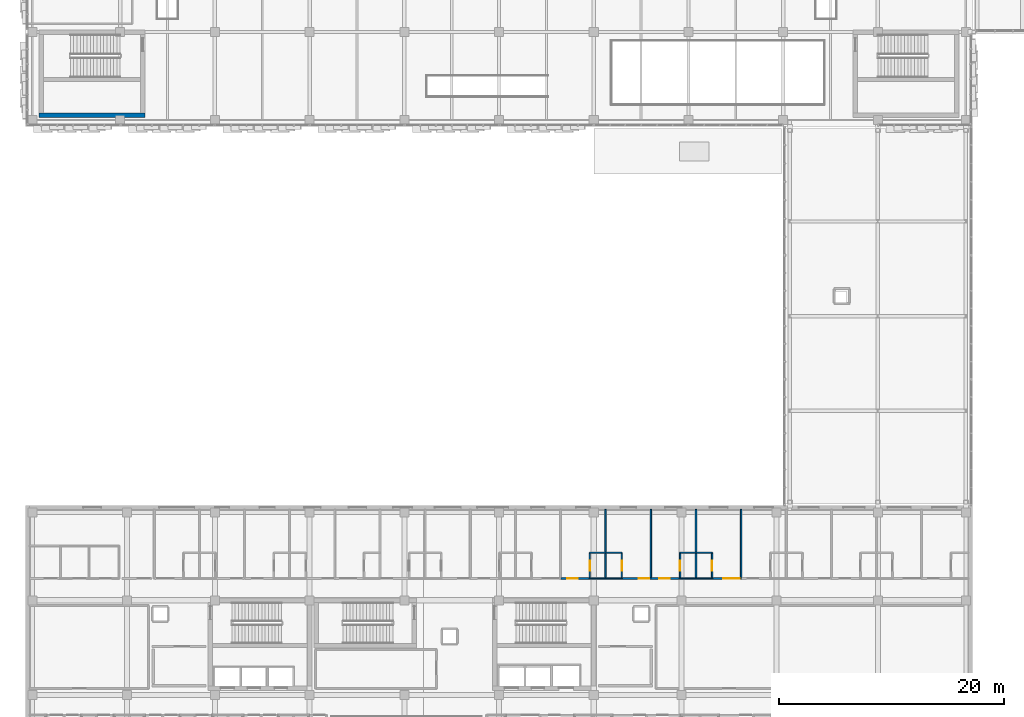
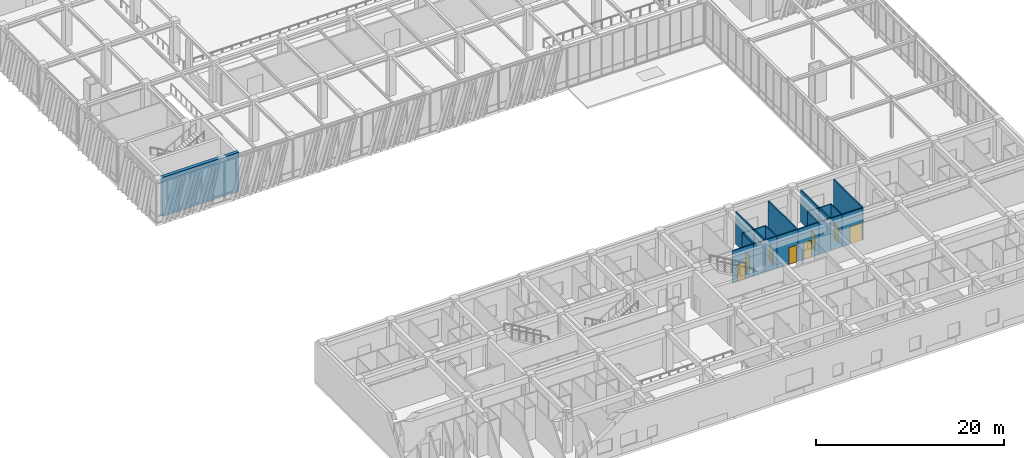
# One storey, part 108 of 139: 21 walls, 8 doors, 8 openings.
"""IFC4 building model written with IfcOpenShell, lengths in metres."""

from ifc_helpers import new_model, si_unit, direction, frame, frame_2d, origin, place, context, subcontext, project, spatial, rectangle, extrude, material, layer, layer_set, type_object, element, fill, save


model = new_model("IFC4")

# Units and contexts
model_context = context("Model", 3, precision=1e-05, world=origin(), true_north=direction((0.0, 1.0)))
body_context = subcontext(model_context, "Body", "Model", "MODEL_VIEW")
ifc_project = project(units=[si_unit("LENGTHUNIT", "METRE"), si_unit("AREAUNIT", "SQUARE_METRE"), si_unit("VOLUMEUNIT", "CUBIC_METRE"), si_unit("PLANEANGLEUNIT", "RADIAN"), si_unit("MASSUNIT", "GRAM", prefix="KILO")], contexts=[model_context])

# Site, building, storey
site_placement = place(None, origin())
site = spatial("IfcSite", under=ifc_project, at=site_placement, CompositionType="ELEMENT")
building_placement = place(site_placement, origin())
building = spatial("IfcBuilding", under=site, at=building_placement, Name="Zayran Congress Hotel", CompositionType="ELEMENT")
storey_placement = place(building_placement, frame((0.0, 0.0, 5.39990234375)))
storey = spatial("IfcBuildingStorey", under=building, at=storey_placement, Name="L01", CompositionType="ELEMENT", Elevation=5.39990234375)

# Wall
ifc_material_1 = material(Name="Concrete C40/50", Category="concrete")
ifc_layer_1 = layer(ifc_material_1, 0.39990234375)
ifc_layer_set_1 = layer_set([ifc_layer_1], Name="Concrete C40/50")
wall_type_1 = type_object("IfcWallType", Name="WL-SH-400", PredefinedType="SHEAR", material=ifc_layer_set_1)
wall_1_placement = place(storey_placement, frame((9.60009765625, 68.60009765625, 0.0), z_axis=(0.0, 0.0, 1.0), x_axis=(1.0, 0.0, 0.0)))
element("IfcWall", 1, at=wall_1_placement, inside=storey, type_object=wall_type_1, Name="CWALL-C-V1S-L01-S", PredefinedType="SHEAR", context=body_context, shape_type="SweptSolid", body=[
    extrude(rectangle(XDim=9.39990234375, YDim=0.39990234375, at=frame_2d((4.699951171875, 0.0))), origin(), (0.0, 0.0, 1.0), 5.080078125),
])

# Wall, opening, door
ifc_material_2 = material(Name="Hospitality guestroom acoustic partition", Category="gypsum")
ifc_layer_2 = layer(ifc_material_2, 0.139892578125)
ifc_layer_set_2 = layer_set([ifc_layer_2], Name="Hospitality guestroom acoustic partition")
wall_type_2 = type_object("IfcWallType", Name="WL-PT-140", PredefinedType="PARTITIONING", material=ifc_layer_set_2)
wall_2_placement = place(storey_placement, frame((55.875, 27.530029296875, 0.0), z_axis=(0.0, 0.0, 1.0), x_axis=(1.0, 0.0, 0.0)))
wall_2 = element("IfcWall", 2, at=wall_2_placement, inside=storey, type_object=wall_type_2, Name="IW-L01-0477", PredefinedType="PARTITIONING", context=body_context, shape_type="SweptSolid", body=[
    extrude(rectangle(XDim=2.574951171875, YDim=0.139892578125, at=frame_2d((1.28759765625, 0.0))), origin(), (0.0, 0.0, 1.0), 4.18017578125),
])
opening_1_placement = place(wall_2_placement, frame((0.575927734375, 0.0, 0.0)))
opening_1 = element("IfcOpeningElement", 3, at=opening_1_placement, cuts=wall_2, Name="Opening DR-GR-01", PredefinedType="OPENING", context=body_context, shape_type="SweptSolid", body=[
    extrude(rectangle(XDim=0.93994140625, YDim=2.199951171875, at=frame_2d((0.469970703125, 1.10009765625))), frame((0.0, 0.079833984375, 0.0), z_axis=(0.0, -1.0, 0.0), x_axis=(1.0, 0.0, 0.0)), (0.0, 0.0, 1.0), 0.159912109375),
])
ifc_material_3 = material(Name="Acoustic walnut veneer fire-rated entry door", Category="wood")
door_type_1 = type_object("IfcDoorType", Name="TP-DR-GR-01", OperationType="NOTDEFINED", PredefinedType="DOOR", material=ifc_material_3)
door_1_placement = place(opening_1_placement, origin())
door_1 = element("IfcDoor", 4, at=door_1_placement, inside=storey, type_object=door_type_1, Name="Guest Room L01-28 Door", OperationType="SINGLE_SWING_RIGHT", OverallHeight=2.199951171875, OverallWidth=0.93994140625, PredefinedType="DOOR", context=body_context, shape_type="SweptSolid", body=[
    extrude(rectangle(XDim=0.93994140625, YDim=2.199951171875, at=frame_2d((0.469970703125, 1.10009765625))), frame((0.0, 0.02490234375, 0.0), z_axis=(0.0, -1.0, 0.0), x_axis=(1.0, 0.0, 0.0)), (0.0, 0.0, 1.0), 0.050048828125),
])
fill(opening_1, door_1)

wall_3_placement = place(storey_placement, frame((61.2880859375, 27.530029296875, 0.0), z_axis=(0.0, 0.0, 1.0), x_axis=(1.0, 0.0, 0.0)))
wall_3 = element("IfcWall", 5, at=wall_3_placement, inside=storey, type_object=wall_type_2, Name="IW-L01-0478", PredefinedType="PARTITIONING", context=body_context, shape_type="SweptSolid", body=[
    extrude(rectangle(XDim=2.574951171875, YDim=0.139892578125, at=frame_2d((1.28759765625, 0.0))), origin(), (0.0, 0.0, 1.0), 4.18017578125),
])
opening_2_placement = place(wall_3_placement, frame((1.4951171875, 0.0, 0.0)))
opening_2 = element("IfcOpeningElement", 6, at=opening_2_placement, cuts=wall_3, Name="Opening DR-GR-01", PredefinedType="OPENING", context=body_context, shape_type="SweptSolid", body=[
    extrude(rectangle(XDim=0.93994140625, YDim=2.199951171875, at=frame_2d((0.469970703125, 1.10009765625))), frame((0.0, 0.079833984375, 0.0), z_axis=(0.0, -1.0, 0.0), x_axis=(1.0, 0.0, 0.0)), (0.0, 0.0, 1.0), 0.159912109375),
])
door_2_placement = place(opening_2_placement, origin())
door_2 = element("IfcDoor", 7, at=door_2_placement, inside=storey, type_object=door_type_1, Name="Guest Room L01-29 Door", OperationType="SINGLE_SWING_LEFT", OverallHeight=2.199951171875, OverallWidth=0.93994140625, PredefinedType="DOOR", context=body_context, shape_type="SweptSolid", body=[
    extrude(rectangle(XDim=0.93994140625, YDim=2.199951171875, at=frame_2d((0.469970703125, 1.10009765625))), frame((0.0, 0.02490234375, 0.0), z_axis=(0.0, -1.0, 0.0), x_axis=(1.0, 0.0, 0.0)), (0.0, 0.0, 1.0), 0.050048828125),
])
fill(opening_2, door_2)

wall_4_placement = place(storey_placement, frame((63.883056640625, 27.530029296875, 0.0), z_axis=(0.0, 0.0, 1.0), x_axis=(1.0, 0.0, 0.0)))
wall_4 = element("IfcWall", 8, at=wall_4_placement, inside=storey, type_object=wall_type_2, Name="IW-L01-0479", PredefinedType="PARTITIONING", context=body_context, shape_type="SweptSolid", body=[
    extrude(rectangle(XDim=2.574951171875, YDim=0.139892578125, at=frame_2d((1.28759765625, 0.0))), origin(), (0.0, 0.0, 1.0), 4.18017578125),
])
opening_3_placement = place(wall_4_placement, frame((0.720947265625, 0.0, 0.0)))
opening_3 = element("IfcOpeningElement", 9, at=opening_3_placement, cuts=wall_4, Name="Opening DR-GR-01", PredefinedType="OPENING", context=body_context, shape_type="SweptSolid", body=[
    extrude(rectangle(XDim=0.93994140625, YDim=2.199951171875, at=frame_2d((0.469970703125, 1.10009765625))), frame((0.0, 0.079833984375, 0.0), z_axis=(0.0, -1.0, 0.0), x_axis=(1.0, 0.0, 0.0)), (0.0, 0.0, 1.0), 0.159912109375),
])
door_3_placement = place(opening_3_placement, origin())
door_3 = element("IfcDoor", 10, at=door_3_placement, inside=storey, type_object=door_type_1, Name="Guest Room L01-30 Door", OperationType="SINGLE_SWING_RIGHT", OverallHeight=2.199951171875, OverallWidth=0.93994140625, PredefinedType="DOOR", context=body_context, shape_type="SweptSolid", body=[
    extrude(rectangle(XDim=0.93994140625, YDim=2.199951171875, at=frame_2d((0.469970703125, 1.10009765625))), frame((0.0, 0.02490234375, 0.0), z_axis=(0.0, -1.0, 0.0), x_axis=(1.0, 0.0, 0.0)), (0.0, 0.0, 1.0), 0.050048828125),
])
fill(opening_3, door_3)

wall_5_placement = place(storey_placement, frame((69.2958984375, 27.530029296875, 0.0), z_axis=(0.0, 0.0, 1.0), x_axis=(1.0, 0.0, 0.0)))
wall_5 = element("IfcWall", 11, at=wall_5_placement, inside=storey, type_object=wall_type_2, Name="IW-L01-0480", PredefinedType="PARTITIONING", context=body_context, shape_type="SweptSolid", body=[
    extrude(rectangle(XDim=2.5751953125, YDim=0.139892578125, at=frame_2d((1.28759765625, 0.0))), origin(), (0.0, 0.0, 1.0), 4.18017578125),
])
opening_4_placement = place(wall_5_placement, frame((0.985107421875, 0.0, 0.0)))
opening_4 = element("IfcOpeningElement", 12, at=opening_4_placement, cuts=wall_5, Name="Opening DR-ST-01", PredefinedType="OPENING", context=body_context, shape_type="SweptSolid", body=[
    extrude(rectangle(XDim=1.449951171875, YDim=2.300048828125, at=frame_2d((0.72509765625, 1.14990234375))), frame((0.0, 0.079833984375, 0.0), z_axis=(0.0, -1.0, 0.0), x_axis=(1.0, 0.0, 0.0)), (0.0, 0.0, 1.0), 0.159912109375),
])
ifc_material_4 = material(Name="Double walnut veneer suite entry door", Category="wood")
door_type_2 = type_object("IfcDoorType", Name="TP-DR-ST-01", OperationType="DOUBLE_DOOR_SINGLE_SWING", PredefinedType="DOOR", material=ifc_material_4)
door_4_placement = place(opening_4_placement, origin())
door_4 = element("IfcDoor", 13, at=door_4_placement, inside=storey, type_object=door_type_2, Name="Executive Suite L01-31 Door", OperationType="DOUBLE_DOOR_SINGLE_SWING", OverallHeight=2.300048828125, OverallWidth=1.449951171875, PredefinedType="DOOR", context=body_context, shape_type="SweptSolid", body=[
    extrude(rectangle(XDim=1.449951171875, YDim=2.300048828125, at=frame_2d((0.72509765625, 1.14990234375))), frame((0.0, 0.02490234375, 0.0), z_axis=(0.0, -1.0, 0.0), x_axis=(1.0, 0.0, 0.0)), (0.0, 0.0, 1.0), 0.050048828125),
])
fill(opening_4, door_4)

# Walls
for number, where, z_axis, x_axis, name in (
    (14, (59.85888671875, 27.52001953125, 0.0), (0.0, 0.0, 1.0), (0.0, 1.0, 0.0), "IW-L01-1770"),
    (15, (63.863037109375, 27.52001953125, 0.0), (0.0, 0.0, 1.0), (0.0, 1.0, 0.0), "IW-L01-1771"),
    (16, (67.866943359375, 27.52001953125, 0.0), (0.0, 0.0, 1.0), (0.0, 1.0, 0.0), "IW-L01-1772"),
    (17, (71.87109375, 27.52001953125, 0.0), (0.0, 0.0, 1.0), (0.0, 1.0, 0.0), "IW-L01-1773"),
):
    element("IfcWall", number, at=place(storey_placement, frame(where, z_axis=z_axis, x_axis=x_axis)), inside=storey, type_object=wall_type_2, Name=name, PredefinedType="PARTITIONING", context=body_context, shape_type="SweptSolid", body=[
        extrude(rectangle(XDim=6.139892578125, YDim=0.139892578125, at=frame_2d((3.06982421875, 0.0))), origin(), (0.0, 0.0, 1.0), 4.18017578125),
    ])

# Wall, opening, door
ifc_material_5 = material(Name="Moisture-resistant bathroom partition", Category="gypsum")
ifc_layer_3 = layer(ifc_material_5, 0.1201171875)
ifc_layer_set_3 = layer_set([ifc_layer_3], Name="Moisture-resistant bathroom partition")
wall_type_3 = type_object("IfcWallType", Name="WL-PT-120", PredefinedType="PARTITIONING", material=ifc_layer_set_3)
wall_6_placement = place(storey_placement, frame((58.449951171875, 27.52001953125, 0.0), z_axis=(0.0, 0.0, 1.0), x_axis=(0.0, 1.0, 0.0)))
wall_6 = element("IfcWall", 18, at=wall_6_placement, inside=storey, type_object=wall_type_3, Name="IW-L01-0044", PredefinedType="PARTITIONING", context=body_context, shape_type="SweptSolid", body=[
    extrude(rectangle(XDim=2.31005859375, YDim=0.1201171875, at=frame_2d((1.155029296875, 0.0))), origin(), (0.0, 0.0, 1.0), 4.18017578125),
])
opening_5_placement = place(wall_6_placement, frame((0.715087890625, 0.0, 0.0)))
opening_5 = element("IfcOpeningElement", 19, at=opening_5_placement, cuts=wall_6, Name="Opening DR-BT-01", PredefinedType="OPENING", context=body_context, shape_type="SweptSolid", body=[
    extrude(rectangle(XDim=0.8798828125, YDim=2.14990234375, at=frame_2d((0.43994140625, 1.074951171875))), frame((0.0, 0.070068359375, 0.0), z_axis=(0.0, -1.0, 0.0), x_axis=(1.0, 0.0, 0.0)), (0.0, 0.0, 1.0), 0.14013671875),
])
ifc_material_6 = material(Name="Moisture-resistant oak en-suite door", Category="wood")
door_type_3 = type_object("IfcDoorType", Name="TP-DR-BT-01", OperationType="NOTDEFINED", PredefinedType="DOOR", material=ifc_material_6)
door_5_placement = place(opening_5_placement, origin())
door_5 = element("IfcDoor", 20, at=door_5_placement, inside=storey, type_object=door_type_3, Name="En-Suite Bathroom L01-28 Door", OperationType="SINGLE_SWING_LEFT", OverallHeight=2.14990234375, OverallWidth=0.8798828125, PredefinedType="DOOR", context=body_context, shape_type="SweptSolid", body=[
    extrude(rectangle(XDim=0.8798828125, YDim=2.14990234375, at=frame_2d((0.43994140625, 1.074951171875))), frame((0.0, 0.02490234375, 0.0), z_axis=(0.0, -1.0, 0.0), x_axis=(1.0, 0.0, 0.0)), (0.0, 0.0, 1.0), 0.050048828125),
])
fill(opening_5, door_5)

wall_7_placement = place(storey_placement, frame((61.2880859375, 27.52001953125, 0.0), z_axis=(0.0, 0.0, 1.0), x_axis=(0.0, 1.0, 0.0)))
wall_7 = element("IfcWall", 21, at=wall_7_placement, inside=storey, type_object=wall_type_3, Name="IW-L01-0045", PredefinedType="PARTITIONING", context=body_context, shape_type="SweptSolid", body=[
    extrude(rectangle(XDim=2.31005859375, YDim=0.1201171875, at=frame_2d((1.155029296875, 0.0))), origin(), (0.0, 0.0, 1.0), 4.18017578125),
])
opening_6_placement = place(wall_7_placement, frame((0.715087890625, 0.0, 0.0)))
opening_6 = element("IfcOpeningElement", 22, at=opening_6_placement, cuts=wall_7, Name="Opening DR-BT-01", PredefinedType="OPENING", context=body_context, shape_type="SweptSolid", body=[
    extrude(rectangle(XDim=0.8798828125, YDim=2.14990234375, at=frame_2d((0.43994140625, 1.074951171875))), frame((0.0, 0.070068359375, 0.0), z_axis=(0.0, -1.0, 0.0), x_axis=(1.0, 0.0, 0.0)), (0.0, 0.0, 1.0), 0.14013671875),
])
door_6_placement = place(opening_6_placement, origin())
door_6 = element("IfcDoor", 23, at=door_6_placement, inside=storey, type_object=door_type_3, Name="En-Suite Bathroom L01-29 Door", OperationType="SINGLE_SWING_RIGHT", OverallHeight=2.14990234375, OverallWidth=0.8798828125, PredefinedType="DOOR", context=body_context, shape_type="SweptSolid", body=[
    extrude(rectangle(XDim=0.8798828125, YDim=2.14990234375, at=frame_2d((0.43994140625, 1.074951171875))), frame((0.0, 0.02490234375, 0.0), z_axis=(0.0, -1.0, 0.0), x_axis=(1.0, 0.0, 0.0)), (0.0, 0.0, 1.0), 0.050048828125),
])
fill(opening_6, door_6)

wall_8_placement = place(storey_placement, frame((66.4580078125, 27.52001953125, 0.0), z_axis=(0.0, 0.0, 1.0), x_axis=(0.0, 1.0, 0.0)))
wall_8 = element("IfcWall", 24, at=wall_8_placement, inside=storey, type_object=wall_type_3, Name="IW-L01-0046", PredefinedType="PARTITIONING", context=body_context, shape_type="SweptSolid", body=[
    extrude(rectangle(XDim=2.31005859375, YDim=0.1201171875, at=frame_2d((1.155029296875, 0.0))), origin(), (0.0, 0.0, 1.0), 4.18017578125),
])
opening_7_placement = place(wall_8_placement, frame((0.715087890625, 0.0, 0.0)))
opening_7 = element("IfcOpeningElement", 25, at=opening_7_placement, cuts=wall_8, Name="Opening DR-BT-01", PredefinedType="OPENING", context=body_context, shape_type="SweptSolid", body=[
    extrude(rectangle(XDim=0.8798828125, YDim=2.14990234375, at=frame_2d((0.43994140625, 1.074951171875))), frame((0.0, 0.070068359375, 0.0), z_axis=(0.0, -1.0, 0.0), x_axis=(1.0, 0.0, 0.0)), (0.0, 0.0, 1.0), 0.14013671875),
])
door_7_placement = place(opening_7_placement, origin())
door_7 = element("IfcDoor", 26, at=door_7_placement, inside=storey, type_object=door_type_3, Name="En-Suite Bathroom L01-30 Door", OperationType="SINGLE_SWING_LEFT", OverallHeight=2.14990234375, OverallWidth=0.8798828125, PredefinedType="DOOR", context=body_context, shape_type="SweptSolid", body=[
    extrude(rectangle(XDim=0.8798828125, YDim=2.14990234375, at=frame_2d((0.43994140625, 1.074951171875))), frame((0.0, 0.02490234375, 0.0), z_axis=(0.0, -1.0, 0.0), x_axis=(1.0, 0.0, 0.0)), (0.0, 0.0, 1.0), 0.050048828125),
])
fill(opening_7, door_7)

wall_9_placement = place(storey_placement, frame((69.2958984375, 27.52001953125, 0.0), z_axis=(0.0, 0.0, 1.0), x_axis=(0.0, 1.0, 0.0)))
wall_9 = element("IfcWall", 27, at=wall_9_placement, inside=storey, type_object=wall_type_3, Name="IW-L01-0047", PredefinedType="PARTITIONING", context=body_context, shape_type="SweptSolid", body=[
    extrude(rectangle(XDim=2.31005859375, YDim=0.1201171875, at=frame_2d((1.155029296875, 0.0))), origin(), (0.0, 0.0, 1.0), 4.18017578125),
])
opening_8_placement = place(wall_9_placement, frame((0.715087890625, 0.0, 0.0)))
opening_8 = element("IfcOpeningElement", 28, at=opening_8_placement, cuts=wall_9, Name="Opening DR-BT-01", PredefinedType="OPENING", context=body_context, shape_type="SweptSolid", body=[
    extrude(rectangle(XDim=0.8798828125, YDim=2.14990234375, at=frame_2d((0.43994140625, 1.074951171875))), frame((0.0, 0.070068359375, 0.0), z_axis=(0.0, -1.0, 0.0), x_axis=(1.0, 0.0, 0.0)), (0.0, 0.0, 1.0), 0.14013671875),
])
door_8_placement = place(opening_8_placement, origin())
door_8 = element("IfcDoor", 29, at=door_8_placement, inside=storey, type_object=door_type_3, Name="En-Suite Bathroom L01-31 Door", OperationType="SINGLE_SWING_RIGHT", OverallHeight=2.14990234375, OverallWidth=0.8798828125, PredefinedType="DOOR", context=body_context, shape_type="SweptSolid", body=[
    extrude(rectangle(XDim=0.8798828125, YDim=2.14990234375, at=frame_2d((0.43994140625, 1.074951171875))), frame((0.0, 0.02490234375, 0.0), z_axis=(0.0, -1.0, 0.0), x_axis=(1.0, 0.0, 0.0)), (0.0, 0.0, 1.0), 0.050048828125),
])
fill(opening_8, door_8)

# Walls
wall_10_placement = place(storey_placement, frame((58.449951171875, 27.530029296875, 0.0), z_axis=(0.0, 0.0, 1.0), x_axis=(1.0, 0.0, 0.0)))
element("IfcWall", 30, at=wall_10_placement, inside=storey, type_object=wall_type_3, Name="IW-L01-0955", PredefinedType="PARTITIONING", context=body_context, shape_type="SweptSolid", body=[
    extrude(rectangle(XDim=1.4189453125, YDim=0.1201171875, at=frame_2d((0.70947265625, 0.0))), origin(), (0.0, 0.0, 1.0), 4.18017578125),
])
wall_11_placement = place(storey_placement, frame((58.43994140625, 29.820068359375, 0.0), z_axis=(0.0, 0.0, 1.0), x_axis=(1.0, 0.0, 0.0)))
element("IfcWall", 31, at=wall_11_placement, inside=storey, type_object=wall_type_3, Name="IW-L01-0956", PredefinedType="PARTITIONING", context=body_context, shape_type="SweptSolid", body=[
    extrude(rectangle(XDim=1.428955078125, YDim=0.1201171875, at=frame_2d((0.71435546875, 0.0))), origin(), (0.0, 0.0, 1.0), 4.18017578125),
])
wall_12_placement = place(storey_placement, frame((59.868896484375, 27.530029296875, 0.0), z_axis=(0.0, 0.0, 1.0), x_axis=(1.0, 0.0, 0.0)))
element("IfcWall", 32, at=wall_12_placement, inside=storey, type_object=wall_type_3, Name="IW-L01-0957", PredefinedType="PARTITIONING", context=body_context, shape_type="SweptSolid", body=[
    extrude(rectangle(XDim=1.419189453125, YDim=0.1201171875, at=frame_2d((0.70947265625, 0.0))), origin(), (0.0, 0.0, 1.0), 4.18017578125),
])
wall_13_placement = place(storey_placement, frame((59.868896484375, 29.820068359375, 0.0), z_axis=(0.0, 0.0, 1.0), x_axis=(1.0, 0.0, 0.0)))
element("IfcWall", 33, at=wall_13_placement, inside=storey, type_object=wall_type_3, Name="IW-L01-0958", PredefinedType="PARTITIONING", context=body_context, shape_type="SweptSolid", body=[
    extrude(rectangle(XDim=1.42919921875, YDim=0.1201171875, at=frame_2d((0.714599609375, 0.0))), origin(), (0.0, 0.0, 1.0), 4.18017578125),
])
for number, where, z_axis, x_axis, name in (
    (34, (66.447998046875, 27.530029296875, 0.0), (0.0, 0.0, 1.0), (1.0, 0.0, 0.0), "IW-L01-0959"),
    (35, (66.447998046875, 29.820068359375, 0.0), (0.0, 0.0, 1.0), (1.0, 0.0, 0.0), "IW-L01-0960"),
    (36, (67.876953125, 27.530029296875, 0.0), (0.0, 0.0, 1.0), (1.0, 0.0, 0.0), "IW-L01-0961"),
    (37, (67.876953125, 29.820068359375, 0.0), (0.0, 0.0, 1.0), (1.0, 0.0, 0.0), "IW-L01-0962"),
):
    element("IfcWall", number, at=place(storey_placement, frame(where, z_axis=z_axis, x_axis=x_axis)), inside=storey, type_object=wall_type_3, Name=name, PredefinedType="PARTITIONING", context=body_context, shape_type="SweptSolid", body=[
        extrude(rectangle(XDim=1.428955078125, YDim=0.1201171875, at=frame_2d((0.71435546875, 0.0))), origin(), (0.0, 0.0, 1.0), 4.18017578125),
    ])

save(model, "model.ifc")
